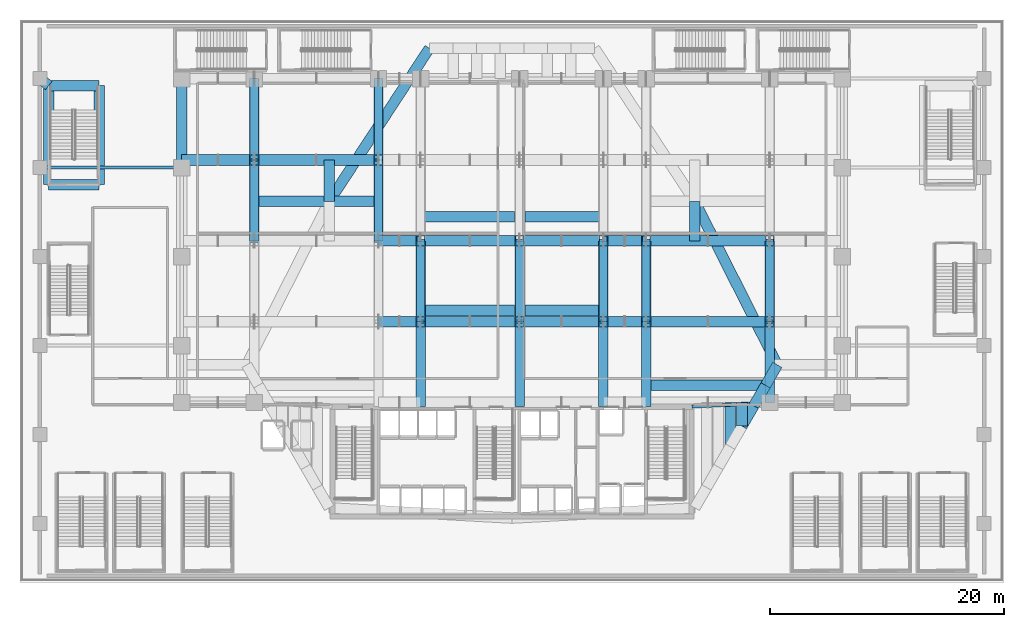
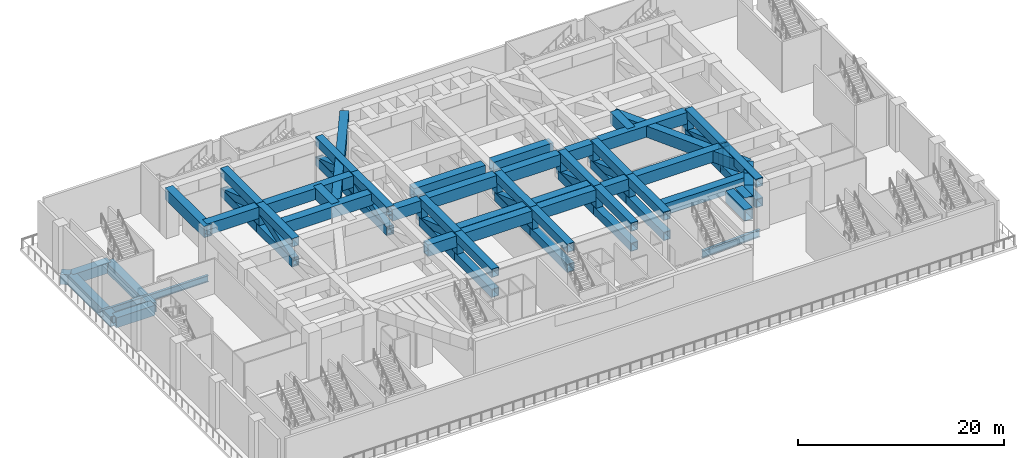
# One storey, part 2 of 27: 49 members, 35 beams.
"""IFC4 building model written with IfcOpenShell, lengths in metres."""

from ifc_helpers import new_model, si_unit, direction, frame, origin, origin_2d, place, context, subcontext, project, spatial, hollow_rectangle, i_section, extrude, material, material_profile, profile_set, type_object, element, save


model = new_model("IFC4")

# Units and contexts
model_context = context("Model", 3, precision=1e-05, world=origin(), true_north=direction((0.0, 1.0)))
body_context = subcontext(model_context, "Body", "Model", "MODEL_VIEW")
ifc_project = project(units=[si_unit("LENGTHUNIT", "METRE"), si_unit("AREAUNIT", "SQUARE_METRE"), si_unit("VOLUMEUNIT", "CUBIC_METRE"), si_unit("PLANEANGLEUNIT", "RADIAN"), si_unit("MASSUNIT", "GRAM", prefix="KILO")], contexts=[model_context])

# Site, building, storey
site_placement = place(None, origin())
site = spatial("IfcSite", under=ifc_project, at=site_placement, CompositionType="ELEMENT")
building_placement = place(site_placement, origin())
building = spatial("IfcBuilding", under=site, at=building_placement, Name="Ndaravel Arena Tower", CompositionType="ELEMENT")
storey_placement = place(building_placement, frame((0.0, 0.0, 24.0)))
storey = spatial("IfcBuildingStorey", under=building, at=storey_placement, Name="L04", CompositionType="ELEMENT", Elevation=24.0)

# Beams
ifc_material_1 = material(Name="Steel S355", Category="steel")
ifc_material_profile_1 = material_profile(ifc_material_1, i_section(OverallWidth=0.26806640625, OverallDepth=0.769775390625, WebThickness=0.015625, FlangeThickness=0.025390625, FilletRadius=0.0166015625, at=origin_2d()), Name="UB 762x267x197")
ifc_profile_set_1 = profile_set([ifc_material_profile_1], Name="Steel S355")
beam_type_1 = type_object("IfcBeamType", Name="BM-POD-UB762", PredefinedType="BEAM", material=ifc_profile_set_1)
beam_1_placement = place(storey_placement, frame((1.699951171875, 35.39990234375, -0.684814453125), z_axis=(1.0, 0.0, 0.0), x_axis=(0.0, 1.0, 0.0)))
element("IfcBeam", 1, at=beam_1_placement, inside=storey, type_object=beam_type_1, Name="L04 West Concourse Beam 03", PredefinedType="BEAM", context=body_context, shape_type="SweptSolid", body=[
    extrude(i_section(OverallWidth=0.26806640625, OverallDepth=0.769775390625, WebThickness=0.015625, FlangeThickness=0.025390625, FilletRadius=0.0166015625, at=origin_2d()), origin(), (0.0, 0.0, 1.0), 12.10009765625),
])
ifc_material_2 = material(Name="Steel S355", Category="steel")
ifc_material_profile_2 = material_profile(ifc_material_2, i_section(OverallWidth=0.293701171875, OverallDepth=0.850830078125, WebThickness=0.01611328125, FlangeThickness=0.02685546875, FilletRadius=0.017822265625, at=origin_2d()), Name="UB 838x292x226")
ifc_profile_set_2 = profile_set([ifc_material_profile_2], Name="Steel S355")
beam_type_2 = type_object("IfcBeamType", Name="BM-POD-UB838", PredefinedType="BEAM", material=ifc_profile_set_2)
beam_2_placement = place(storey_placement, frame((57.35009765625, 15.0, -0.7255859375), z_axis=(0.99861701899, 0.052574227375, 0.0), x_axis=(-0.052574227375, 0.99861701899, 0.0)))
element("IfcBeam", 2, at=beam_2_placement, inside=storey, type_object=beam_type_2, Name="L04 Arena Ring Girder 19", PredefinedType="BEAM", context=body_context, shape_type="SweptSolid", body=[
    extrude(i_section(OverallWidth=0.293701171875, OverallDepth=0.850830078125, WebThickness=0.01611328125, FlangeThickness=0.02685546875, FilletRadius=0.017822265625, at=origin_2d()), origin(), (0.0, 0.0, 1.0), 6.6591796875),
])
ifc_material_3 = material(Name="Steel S460", Category="steel")
ifc_material_profile_3 = material_profile(ifc_material_3, hollow_rectangle(XDim=0.89990234375, YDim=1.199951171875, WallThickness=0.070068359375, at=origin_2d()), Name="BOX 1200x900x70")
ifc_profile_set_3 = profile_set([ifc_material_profile_3], Name="Steel S460")
beam_type_3 = type_object("IfcBeamType", Name="BM-XFER-BOX1200", PredefinedType="BEAM", material=ifc_profile_set_3)
beam_3_placement = place(storey_placement, frame((1.699951171875, 43.0, -0.89990234375), z_axis=(0.780819212266, -0.624757038981, 0.0), x_axis=(0.624757038981, 0.780819212266, 0.0)))
element("IfcBeam", 3, at=beam_3_placement, inside=storey, type_object=beam_type_3, Name="L04 Stair ST-GDN-1 Mega Column Bracket", PredefinedType="BEAM", context=body_context, shape_type="SweptSolid", body=[
    extrude(hollow_rectangle(XDim=0.89990234375, YDim=1.199951171875, WallThickness=0.070068359375, at=origin_2d()), origin(), (0.0, 0.0, 1.0), 0.96044921875),
])
for number, where, z_axis, x_axis, name in (
    (4, (2.449951171875, 33.949951171875, -0.89990234375), (0.0, 1.0, 0.0), (-1.0, 0.0, 0.0), "L04 Stair ST-GDN-1 Side Carrier Beam 1"),
    (5, (6.75, 33.949951171875, -0.89990234375), (0.0, 1.0, 0.0), (-1.0, 0.0, 0.0), "L04 Stair ST-GDN-1 Side Carrier Beam 2"),
):
    element("IfcBeam", number, at=place(storey_placement, frame(where, z_axis=z_axis, x_axis=x_axis)), inside=storey, type_object=beam_type_3, Name=name, PredefinedType="BEAM", context=body_context, shape_type="SweptSolid", body=[
        extrude(hollow_rectangle(XDim=0.89990234375, YDim=1.199951171875, WallThickness=0.070068359375, at=origin_2d()), origin(), (0.0, 0.0, 1.0), 8.449951171875),
    ])
for number, where, z_axis, x_axis, name in (
    (6, (2.449951171875, 33.949951171875, -0.89990234375), (1.0, 0.0, 0.0), (0.0, 1.0, 0.0), "L04 Stair ST-GDN-1 End Carrier Beam 1"),
    (7, (2.449951171875, 42.39990234375, -0.89990234375), (1.0, 0.0, 0.0), (0.0, 1.0, 0.0), "L04 Stair ST-GDN-1 End Carrier Beam 2"),
):
    element("IfcBeam", number, at=place(storey_placement, frame(where, z_axis=z_axis, x_axis=x_axis)), inside=storey, type_object=beam_type_3, Name=name, PredefinedType="BEAM", context=body_context, shape_type="SweptSolid", body=[
        extrude(hollow_rectangle(XDim=0.89990234375, YDim=1.199951171875, WallThickness=0.070068359375, at=origin_2d()), origin(), (0.0, 0.0, 1.0), 4.300048828125),
    ])
ifc_material_4 = material(Name="Steel S460", Category="steel")
ifc_material_profile_4 = material_profile(ifc_material_4, hollow_rectangle(XDim=0.89990234375, YDim=1.35009765625, WallThickness=0.070068359375, at=origin_2d()), Name="BOX 1350x900x70")
ifc_profile_set_4 = profile_set([ifc_material_profile_4], Name="Steel S460")
beam_type_4 = type_object("IfcBeamType", Name="BM-XFER-BOX1350", PredefinedType="BEAM", material=ifc_profile_set_4)
beam_4_placement = place(storey_placement, frame((13.800048828125, 35.39990234375, 4.875), z_axis=(0.0, 1.0, 0.0), x_axis=(-1.0, 0.0, 0.0)))
element("IfcBeam", 8, at=beam_4_placement, inside=storey, type_object=beam_type_4, Name="Transfer Perimeter Box Girder TPB-1.4", PredefinedType="BEAM", context=body_context, shape_type="SweptSolid", body=[
    extrude(hollow_rectangle(XDim=0.89990234375, YDim=1.35009765625, WallThickness=0.070068359375, at=origin_2d()), origin(), (0.0, 0.0, 1.0), 7.60009765625),
])
beam_5_placement = place(storey_placement, frame((30.60009765625, 22.25, 4.875), z_axis=(1.0, 0.0, 0.0), x_axis=(0.0, 1.0, 0.0)))
element("IfcBeam", 9, at=beam_5_placement, inside=storey, type_object=beam_type_4, Name="Transfer Deck Box Girder TG-2.3", PredefinedType="BEAM", context=body_context, shape_type="SweptSolid", body=[
    extrude(hollow_rectangle(XDim=0.89990234375, YDim=1.35009765625, WallThickness=0.070068359375, at=origin_2d()), origin(), (0.0, 0.0, 1.0), 3.599853515625),
])
beam_6_placement = place(storey_placement, frame((34.199951171875, 22.25, 4.875), z_axis=(1.0, 0.0, 0.0), x_axis=(0.0, 1.0, 0.0)))
element("IfcBeam", 10, at=beam_6_placement, inside=storey, type_object=beam_type_4, Name="Transfer Deck Box Girder TG-2.4", PredefinedType="BEAM", context=body_context, shape_type="SweptSolid", body=[
    extrude(hollow_rectangle(XDim=0.89990234375, YDim=1.35009765625, WallThickness=0.070068359375, at=origin_2d()), origin(), (0.0, 0.0, 1.0), 8.449951171875),
])
beam_7_placement = place(storey_placement, frame((42.64990234375, 22.25, 4.875), z_axis=(1.0, 0.0, 0.0), x_axis=(0.0, 1.0, 0.0)))
element("IfcBeam", 11, at=beam_7_placement, inside=storey, type_object=beam_type_4, Name="Transfer Deck Box Girder TG-2.5", PredefinedType="BEAM", context=body_context, shape_type="SweptSolid", body=[
    extrude(hollow_rectangle(XDim=0.89990234375, YDim=1.35009765625, WallThickness=0.070068359375, at=origin_2d()), origin(), (0.0, 0.0, 1.0), 7.150146484375),
])
beam_8_placement = place(storey_placement, frame((49.800048828125, 22.25, 4.875), z_axis=(1.0, 0.0, 0.0), x_axis=(0.0, 1.0, 0.0)))
element("IfcBeam", 12, at=beam_8_placement, inside=storey, type_object=beam_type_4, Name="Transfer Deck Box Girder TG-2.6", PredefinedType="BEAM", context=body_context, shape_type="SweptSolid", body=[
    extrude(hollow_rectangle(XDim=0.89990234375, YDim=1.35009765625, WallThickness=0.070068359375, at=origin_2d()), origin(), (0.0, 0.0, 1.0), 3.64990234375),
])
beam_9_placement = place(storey_placement, frame((53.449951171875, 22.25, 4.875), z_axis=(1.0, 0.0, 0.0), x_axis=(0.0, 1.0, 0.0)))
element("IfcBeam", 13, at=beam_9_placement, inside=storey, type_object=beam_type_4, Name="Transfer Deck Box Girder TG-2.7", PredefinedType="BEAM", context=body_context, shape_type="SweptSolid", body=[
    extrude(hollow_rectangle(XDim=0.89990234375, YDim=1.35009765625, WallThickness=0.070068359375, at=origin_2d()), origin(), (0.0, 0.0, 1.0), 10.550048828125),
])
beam_10_placement = place(storey_placement, frame((30.60009765625, 29.14990234375, 4.875), z_axis=(1.0, 0.0, 0.0), x_axis=(0.0, 1.0, 0.0)))
element("IfcBeam", 14, at=beam_10_placement, inside=storey, type_object=beam_type_4, Name="Transfer Deck Box Girder TG-3.3", PredefinedType="BEAM", context=body_context, shape_type="SweptSolid", body=[
    extrude(hollow_rectangle(XDim=0.89990234375, YDim=1.35009765625, WallThickness=0.070068359375, at=origin_2d()), origin(), (0.0, 0.0, 1.0), 3.599853515625),
])
beam_11_placement = place(storey_placement, frame((34.199951171875, 29.14990234375, 4.875), z_axis=(1.0, 0.0, 0.0), x_axis=(0.0, 1.0, 0.0)))
element("IfcBeam", 15, at=beam_11_placement, inside=storey, type_object=beam_type_4, Name="Transfer Deck Box Girder TG-3.4", PredefinedType="BEAM", context=body_context, shape_type="SweptSolid", body=[
    extrude(hollow_rectangle(XDim=0.89990234375, YDim=1.35009765625, WallThickness=0.070068359375, at=origin_2d()), origin(), (0.0, 0.0, 1.0), 8.449951171875),
])
beam_12_placement = place(storey_placement, frame((42.64990234375, 29.14990234375, 4.875), z_axis=(1.0, 0.0, 0.0), x_axis=(0.0, 1.0, 0.0)))
element("IfcBeam", 16, at=beam_12_placement, inside=storey, type_object=beam_type_4, Name="Transfer Deck Box Girder TG-3.5", PredefinedType="BEAM", context=body_context, shape_type="SweptSolid", body=[
    extrude(hollow_rectangle(XDim=0.89990234375, YDim=1.35009765625, WallThickness=0.070068359375, at=origin_2d()), origin(), (0.0, 0.0, 1.0), 7.150146484375),
])
beam_13_placement = place(storey_placement, frame((49.800048828125, 29.14990234375, 4.875), z_axis=(1.0, 0.0, 0.0), x_axis=(0.0, 1.0, 0.0)))
element("IfcBeam", 17, at=beam_13_placement, inside=storey, type_object=beam_type_4, Name="Transfer Deck Box Girder TG-3.6", PredefinedType="BEAM", context=body_context, shape_type="SweptSolid", body=[
    extrude(hollow_rectangle(XDim=0.89990234375, YDim=1.35009765625, WallThickness=0.070068359375, at=origin_2d()), origin(), (0.0, 0.0, 1.0), 3.64990234375),
])
beam_14_placement = place(storey_placement, frame((53.449951171875, 29.14990234375, 4.875), z_axis=(1.0, 0.0, 0.0), x_axis=(0.0, 1.0, 0.0)))
element("IfcBeam", 18, at=beam_14_placement, inside=storey, type_object=beam_type_4, Name="Transfer Deck Box Girder TG-3.7", PredefinedType="BEAM", context=body_context, shape_type="SweptSolid", body=[
    extrude(hollow_rectangle(XDim=0.89990234375, YDim=1.35009765625, WallThickness=0.070068359375, at=origin_2d()), origin(), (0.0, 0.0, 1.0), 10.550048828125),
])
beam_15_placement = place(storey_placement, frame((13.800048828125, 36.050048828125, 4.875), z_axis=(1.0, 0.0, 0.0), x_axis=(0.0, 1.0, 0.0)))
element("IfcBeam", 19, at=beam_15_placement, inside=storey, type_object=beam_type_4, Name="Transfer Deck Box Girder TG-4.1", PredefinedType="BEAM", context=body_context, shape_type="SweptSolid", body=[
    extrude(hollow_rectangle(XDim=0.89990234375, YDim=1.35009765625, WallThickness=0.070068359375, at=origin_2d()), origin(), (0.0, 0.0, 1.0), 6.199951171875),
])
beam_16_placement = place(storey_placement, frame((20.0, 36.050048828125, 4.875), z_axis=(1.0, 0.0, 0.0), x_axis=(0.0, 1.0, 0.0)))
element("IfcBeam", 20, at=beam_16_placement, inside=storey, type_object=beam_type_4, Name="Transfer Deck Box Girder TG-4.2", PredefinedType="BEAM", context=body_context, shape_type="SweptSolid", body=[
    extrude(hollow_rectangle(XDim=0.89990234375, YDim=1.35009765625, WallThickness=0.070068359375, at=origin_2d()), origin(), (0.0, 0.0, 1.0), 10.60009765625),
])
beam_17_placement = place(storey_placement, frame((60.627197265625, 11.5830078125, 4.875), z_axis=(0.0, 1.0, 0.0), x_axis=(-1.0, 0.0, 0.0)))
element("IfcBeam", 21, at=beam_17_placement, inside=storey, type_object=beam_type_4, Name="Tower Base North Tie Girder TTN-05", PredefinedType="BEAM", context=body_context, shape_type="SweptSolid", body=[
    extrude(hollow_rectangle(XDim=0.89990234375, YDim=1.35009765625, WallThickness=0.070068359375, at=origin_2d()), origin(), (0.0, 0.0, 1.0), 3.76708984375),
])
beam_18_placement = place(storey_placement, frame((61.6337890625, 13.326904296875, 4.875), z_axis=(0.500051323872, 0.865995769906, 0.0), x_axis=(-0.865995769906, 0.500051323872, 0.0)))
element("IfcBeam", 22, at=beam_18_placement, inside=storey, type_object=beam_type_4, Name="Tower Base Transfer Ring Girder TRG-06", PredefinedType="BEAM", context=body_context, shape_type="SweptSolid", body=[
    extrude(hollow_rectangle(XDim=0.89990234375, YDim=1.35009765625, WallThickness=0.070068359375, at=origin_2d()), origin(), (0.0, 0.0, 1.0), 2.013427734375),
])
beam_19_placement = place(storey_placement, frame((61.6337890625, 13.326904296875, 4.875), z_axis=(0.0, 1.0, 0.0), x_axis=(-1.0, 0.0, 0.0)))
element("IfcBeam", 23, at=beam_19_placement, inside=storey, type_object=beam_type_4, Name="Tower Base North Tie Girder TTN-06", PredefinedType="BEAM", context=body_context, shape_type="SweptSolid", body=[
    extrude(hollow_rectangle(XDim=0.89990234375, YDim=1.35009765625, WallThickness=0.070068359375, at=origin_2d()), origin(), (0.0, 0.0, 1.0), 2.023193359375),
])
beam_20_placement = place(storey_placement, frame((62.640625, 15.070556640625, 4.875), z_axis=(0.499998820369, 0.866026084844, 0.0), x_axis=(-0.866026084844, 0.499998820369, 0.0)))
element("IfcBeam", 24, at=beam_20_placement, inside=storey, type_object=beam_type_4, Name="Tower Base Transfer Ring Girder TRG-07", PredefinedType="BEAM", context=body_context, shape_type="SweptSolid", body=[
    extrude(hollow_rectangle(XDim=0.89990234375, YDim=1.35009765625, WallThickness=0.070068359375, at=origin_2d()), origin(), (0.0, 0.0, 1.0), 2.013671875),
])
beam_21_placement = place(storey_placement, frame((63.6474609375, 16.814453125, 4.875), z_axis=(0.499960381356, 0.866048276411, 0.0), x_axis=(-0.866048276411, 0.499960381356, 0.0)))
element("IfcBeam", 25, at=beam_21_placement, inside=storey, type_object=beam_type_4, Name="Tower Base Transfer Ring Girder TRG-08", PredefinedType="BEAM", context=body_context, shape_type="SweptSolid", body=[
    extrude(hollow_rectangle(XDim=0.89990234375, YDim=1.35009765625, WallThickness=0.070068359375, at=origin_2d()), origin(), (0.0, 0.0, 1.0), 2.013427734375),
])
beam_22_placement = place(storey_placement, frame((53.449951171875, 16.814453125, 4.875), z_axis=(1.0, 0.0, 0.0), x_axis=(0.0, 1.0, 0.0)))
element("IfcBeam", 26, at=beam_22_placement, inside=storey, type_object=beam_type_4, Name="Tower Base Span Tie Girder TTEW-08", PredefinedType="BEAM", context=body_context, shape_type="SweptSolid", body=[
    extrude(hollow_rectangle(XDim=0.89990234375, YDim=1.35009765625, WallThickness=0.070068359375, at=origin_2d()), origin(), (0.0, 0.0, 1.0), 10.550048828125),
])
beam_23_placement = place(storey_placement, frame((64.654052734375, 18.55810546875, 4.875), z_axis=(-0.450914536682, 0.892567129469, 0.0), x_axis=(-0.892567129469, -0.450914536682, 0.0)))
element("IfcBeam", 27, at=beam_23_placement, inside=storey, type_object=beam_type_4, Name="Tower Base Transfer Ring Girder TRG-09", PredefinedType="BEAM", context=body_context, shape_type="SweptSolid", body=[
    extrude(hollow_rectangle(XDim=0.89990234375, YDim=1.35009765625, WallThickness=0.070068359375, at=origin_2d()), origin(), (0.0, 0.0, 1.0), 15.631103515625),
])
beam_24_placement = place(storey_placement, frame((57.605712890625, 29.14990234375, 4.875), z_axis=(0.0, 1.0, 0.0), x_axis=(-1.0, 0.0, 0.0)))
element("IfcBeam", 28, at=beam_24_placement, inside=storey, type_object=beam_type_4, Name="Tower Base South Tie Girder TTS-10", PredefinedType="BEAM", context=body_context, shape_type="SweptSolid", body=[
    extrude(hollow_rectangle(XDim=0.89990234375, YDim=1.35009765625, WallThickness=0.070068359375, at=origin_2d()), origin(), (0.0, 0.0, 1.0), 3.360107421875),
])
beam_25_placement = place(storey_placement, frame((34.95263671875, 45.590087890625, 4.875), z_axis=(-0.547517816718, -0.83679402506, 0.0), x_axis=(0.83679402506, -0.547517816718, 0.0)))
element("IfcBeam", 29, at=beam_25_placement, inside=storey, type_object=beam_type_4, Name="Tower Base Transfer Ring Girder TRG-18", PredefinedType="BEAM", context=body_context, shape_type="SweptSolid", body=[
    extrude(hollow_rectangle(XDim=0.89990234375, YDim=1.35009765625, WallThickness=0.070068359375, at=origin_2d()), origin(), (0.0, 0.0, 1.0), 15.631103515625),
])
beam_26_placement = place(storey_placement, frame((20.0, 32.510009765625, 4.875), z_axis=(1.0, 0.0, 0.0), x_axis=(0.0, 1.0, 0.0)))
element("IfcBeam", 30, at=beam_26_placement, inside=storey, type_object=beam_type_4, Name="Tower Base Span Tie Girder TTEW-19", PredefinedType="BEAM", context=body_context, shape_type="SweptSolid", body=[
    extrude(hollow_rectangle(XDim=0.89990234375, YDim=1.35009765625, WallThickness=0.070068359375, at=origin_2d()), origin(), (0.0, 0.0, 1.0), 10.60009765625),
])
beam_27_placement = place(storey_placement, frame((26.394287109375, 32.510009765625, 4.875), z_axis=(0.0, 1.0, 0.0), x_axis=(-1.0, 0.0, 0.0)))
element("IfcBeam", 31, at=beam_27_placement, inside=storey, type_object=beam_type_4, Name="Tower Base North Tie Girder TTN-19", PredefinedType="BEAM", context=body_context, shape_type="SweptSolid", body=[
    extrude(hollow_rectangle(XDim=0.89990234375, YDim=1.35009765625, WallThickness=0.070068359375, at=origin_2d()), origin(), (0.0, 0.0, 1.0), 3.5400390625),
])
beam_28_placement = place(storey_placement, frame((34.199951171875, 23.199951171875, 4.875), z_axis=(1.0, 0.0, 0.0), x_axis=(0.0, 1.0, 0.0)))
element("IfcBeam", 32, at=beam_28_placement, inside=storey, type_object=beam_type_4, Name="Spine Transfer Girder STGA-1", PredefinedType="BEAM", context=body_context, shape_type="SweptSolid", body=[
    extrude(hollow_rectangle(XDim=0.89990234375, YDim=1.35009765625, WallThickness=0.070068359375, at=origin_2d()), origin(), (0.0, 0.0, 1.0), 8.0),
])
beam_29_placement = place(storey_placement, frame((43.10009765625, 23.199951171875, 4.875), z_axis=(1.0, 0.0, 0.0), x_axis=(0.0, 1.0, 0.0)))
element("IfcBeam", 33, at=beam_29_placement, inside=storey, type_object=beam_type_4, Name="Spine Transfer Girder STGB-1", PredefinedType="BEAM", context=body_context, shape_type="SweptSolid", body=[
    extrude(hollow_rectangle(XDim=0.89990234375, YDim=1.35009765625, WallThickness=0.070068359375, at=origin_2d()), origin(), (0.0, 0.0, 1.0), 6.699951171875),
])
beam_30_placement = place(storey_placement, frame((34.199951171875, 31.199951171875, 4.875), z_axis=(1.0, 0.0, 0.0), x_axis=(0.0, 1.0, 0.0)))
element("IfcBeam", 34, at=beam_30_placement, inside=storey, type_object=beam_type_4, Name="Spine Transfer Girder STGA-3", PredefinedType="BEAM", context=body_context, shape_type="SweptSolid", body=[
    extrude(hollow_rectangle(XDim=0.89990234375, YDim=1.35009765625, WallThickness=0.070068359375, at=origin_2d()), origin(), (0.0, 0.0, 1.0), 8.0),
])
beam_31_placement = place(storey_placement, frame((43.10009765625, 31.199951171875, 4.875), z_axis=(1.0, 0.0, 0.0), x_axis=(0.0, 1.0, 0.0)))
element("IfcBeam", 35, at=beam_31_placement, inside=storey, type_object=beam_type_4, Name="Spine Transfer Girder STGB-3", PredefinedType="BEAM", context=body_context, shape_type="SweptSolid", body=[
    extrude(hollow_rectangle(XDim=0.89990234375, YDim=1.35009765625, WallThickness=0.070068359375, at=origin_2d()), origin(), (0.0, 0.0, 1.0), 6.699951171875),
])

# Members
ifc_material_5 = material(Name="Steel S460", Category="steel")
ifc_material_profile_5 = material_profile(ifc_material_5, hollow_rectangle(XDim=0.800048828125, YDim=1.0, WallThickness=0.06005859375, at=origin_2d()), Name="BOX 1000x800x60")
ifc_profile_set_5 = profile_set([ifc_material_profile_5], Name="Steel S460")
member_type_1 = type_object("IfcMemberType", Name="MEM-TT-CHORD", PredefinedType="CHORD", material=ifc_profile_set_5)
for number, where, z_axis, x_axis, name in (
    (36, (20.0, 29.14990234375, 5.199951171875), (0.0, 1.0, 0.0), (-1.0, 0.0, 0.0), "Transfer Truss TT-1 Top Chord 3"),
    (37, (20.0, 29.14990234375, 2.820068359375), (0.0, 1.0, 0.0), (-1.0, 0.0, 0.0), "Transfer Truss TT-1 Bottom Chord 3"),
):
    element("IfcMember", number, at=place(storey_placement, frame(where, z_axis=z_axis, x_axis=x_axis)), inside=storey, type_object=member_type_1, Name=name, PredefinedType="CHORD", context=body_context, shape_type="SweptSolid", body=[
        extrude(hollow_rectangle(XDim=0.800048828125, YDim=1.0, WallThickness=0.06005859375, at=origin_2d()), origin(), (0.0, 0.0, 1.0), 6.900146484375),
    ])
for number, where, z_axis, x_axis, name in (
    (38, (20.0, 36.050048828125, 5.199951171875), (0.0, 1.0, 0.0), (-1.0, 0.0, 0.0), "Transfer Truss TT-1 Top Chord 4"),
    (39, (20.0, 36.050048828125, 2.820068359375), (0.0, 1.0, 0.0), (-1.0, 0.0, 0.0), "Transfer Truss TT-1 Bottom Chord 4"),
):
    element("IfcMember", number, at=place(storey_placement, frame(where, z_axis=z_axis, x_axis=x_axis)), inside=storey, type_object=member_type_1, Name=name, PredefinedType="CHORD", context=body_context, shape_type="SweptSolid", body=[
        extrude(hollow_rectangle(XDim=0.800048828125, YDim=1.0, WallThickness=0.06005859375, at=origin_2d()), origin(), (0.0, 0.0, 1.0), 6.949951171875),
    ])
for number, where, z_axis, x_axis, name in (
    (40, (30.60009765625, 29.14990234375, 5.199951171875), (0.0, 1.0, 0.0), (-1.0, 0.0, 0.0), "Transfer Truss TT-2 Top Chord 3"),
    (41, (30.60009765625, 29.14990234375, 2.820068359375), (0.0, 1.0, 0.0), (-1.0, 0.0, 0.0), "Transfer Truss TT-2 Bottom Chord 3"),
):
    element("IfcMember", number, at=place(storey_placement, frame(where, z_axis=z_axis, x_axis=x_axis)), inside=storey, type_object=member_type_1, Name=name, PredefinedType="CHORD", context=body_context, shape_type="SweptSolid", body=[
        extrude(hollow_rectangle(XDim=0.800048828125, YDim=1.0, WallThickness=0.06005859375, at=origin_2d()), origin(), (0.0, 0.0, 1.0), 6.900146484375),
    ])
for number, where, z_axis, x_axis, name in (
    (42, (30.60009765625, 36.050048828125, 5.199951171875), (0.0, 1.0, 0.0), (-1.0, 0.0, 0.0), "Transfer Truss TT-2 Top Chord 4"),
    (43, (30.60009765625, 36.050048828125, 2.820068359375), (0.0, 1.0, 0.0), (-1.0, 0.0, 0.0), "Transfer Truss TT-2 Bottom Chord 4"),
):
    element("IfcMember", number, at=place(storey_placement, frame(where, z_axis=z_axis, x_axis=x_axis)), inside=storey, type_object=member_type_1, Name=name, PredefinedType="CHORD", context=body_context, shape_type="SweptSolid", body=[
        extrude(hollow_rectangle(XDim=0.800048828125, YDim=1.0, WallThickness=0.06005859375, at=origin_2d()), origin(), (0.0, 0.0, 1.0), 6.949951171875),
    ])
for number, where, z_axis, x_axis, name in (
    (44, (34.199951171875, 15.0, 5.199951171875), (0.0, 1.0, 0.0), (-1.0, 0.0, 0.0), "Transfer Truss TT-3 Top Chord 1"),
    (45, (34.199951171875, 15.0, 2.820068359375), (0.0, 1.0, 0.0), (-1.0, 0.0, 0.0), "Transfer Truss TT-3 Bottom Chord 1"),
):
    element("IfcMember", number, at=place(storey_placement, frame(where, z_axis=z_axis, x_axis=x_axis)), inside=storey, type_object=member_type_1, Name=name, PredefinedType="CHORD", context=body_context, shape_type="SweptSolid", body=[
        extrude(hollow_rectangle(XDim=0.800048828125, YDim=1.0, WallThickness=0.06005859375, at=origin_2d()), origin(), (0.0, 0.0, 1.0), 7.25),
    ])
for number, where, z_axis, x_axis, name in (
    (46, (34.199951171875, 22.25, 5.199951171875), (0.0, 1.0, 0.0), (-1.0, 0.0, 0.0), "Transfer Truss TT-3 Top Chord 2"),
    (47, (34.199951171875, 22.25, 2.820068359375), (0.0, 1.0, 0.0), (-1.0, 0.0, 0.0), "Transfer Truss TT-3 Bottom Chord 2"),
):
    element("IfcMember", number, at=place(storey_placement, frame(where, z_axis=z_axis, x_axis=x_axis)), inside=storey, type_object=member_type_1, Name=name, PredefinedType="CHORD", context=body_context, shape_type="SweptSolid", body=[
        extrude(hollow_rectangle(XDim=0.800048828125, YDim=1.0, WallThickness=0.06005859375, at=origin_2d()), origin(), (0.0, 0.0, 1.0), 6.89990234375),
    ])
for number, where, z_axis, x_axis, name in (
    (48, (42.64990234375, 15.0, 5.199951171875), (0.0, 1.0, 0.0), (-1.0, 0.0, 0.0), "Transfer Truss TT-4 Top Chord 1"),
    (49, (42.64990234375, 15.0, 2.820068359375), (0.0, 1.0, 0.0), (-1.0, 0.0, 0.0), "Transfer Truss TT-4 Bottom Chord 1"),
):
    element("IfcMember", number, at=place(storey_placement, frame(where, z_axis=z_axis, x_axis=x_axis)), inside=storey, type_object=member_type_1, Name=name, PredefinedType="CHORD", context=body_context, shape_type="SweptSolid", body=[
        extrude(hollow_rectangle(XDim=0.800048828125, YDim=1.0, WallThickness=0.06005859375, at=origin_2d()), origin(), (0.0, 0.0, 1.0), 7.25),
    ])
for number, where, z_axis, x_axis, name in (
    (50, (42.64990234375, 22.25, 5.199951171875), (0.0, 1.0, 0.0), (-1.0, 0.0, 0.0), "Transfer Truss TT-4 Top Chord 2"),
    (51, (42.64990234375, 22.25, 2.820068359375), (0.0, 1.0, 0.0), (-1.0, 0.0, 0.0), "Transfer Truss TT-4 Bottom Chord 2"),
):
    element("IfcMember", number, at=place(storey_placement, frame(where, z_axis=z_axis, x_axis=x_axis)), inside=storey, type_object=member_type_1, Name=name, PredefinedType="CHORD", context=body_context, shape_type="SweptSolid", body=[
        extrude(hollow_rectangle(XDim=0.800048828125, YDim=1.0, WallThickness=0.06005859375, at=origin_2d()), origin(), (0.0, 0.0, 1.0), 6.89990234375),
    ])
for number, where, z_axis, x_axis, name in (
    (52, (49.800048828125, 15.0, 5.199951171875), (0.0, 1.0, 0.0), (-1.0, 0.0, 0.0), "Transfer Truss TT-5 Top Chord 1"),
    (53, (49.800048828125, 15.0, 2.820068359375), (0.0, 1.0, 0.0), (-1.0, 0.0, 0.0), "Transfer Truss TT-5 Bottom Chord 1"),
):
    element("IfcMember", number, at=place(storey_placement, frame(where, z_axis=z_axis, x_axis=x_axis)), inside=storey, type_object=member_type_1, Name=name, PredefinedType="CHORD", context=body_context, shape_type="SweptSolid", body=[
        extrude(hollow_rectangle(XDim=0.800048828125, YDim=1.0, WallThickness=0.06005859375, at=origin_2d()), origin(), (0.0, 0.0, 1.0), 7.25),
    ])
for number, where, z_axis, x_axis, name in (
    (54, (49.800048828125, 22.25, 5.199951171875), (0.0, 1.0, 0.0), (-1.0, 0.0, 0.0), "Transfer Truss TT-5 Top Chord 2"),
    (55, (49.800048828125, 22.25, 2.820068359375), (0.0, 1.0, 0.0), (-1.0, 0.0, 0.0), "Transfer Truss TT-5 Bottom Chord 2"),
):
    element("IfcMember", number, at=place(storey_placement, frame(where, z_axis=z_axis, x_axis=x_axis)), inside=storey, type_object=member_type_1, Name=name, PredefinedType="CHORD", context=body_context, shape_type="SweptSolid", body=[
        extrude(hollow_rectangle(XDim=0.800048828125, YDim=1.0, WallThickness=0.06005859375, at=origin_2d()), origin(), (0.0, 0.0, 1.0), 6.89990234375),
    ])
for number, where, z_axis, x_axis, name in (
    (56, (53.449951171875, 15.0, 5.199951171875), (0.0, 1.0, 0.0), (-1.0, 0.0, 0.0), "Transfer Truss TT-6 Top Chord 1"),
    (57, (53.449951171875, 15.0, 2.820068359375), (0.0, 1.0, 0.0), (-1.0, 0.0, 0.0), "Transfer Truss TT-6 Bottom Chord 1"),
):
    element("IfcMember", number, at=place(storey_placement, frame(where, z_axis=z_axis, x_axis=x_axis)), inside=storey, type_object=member_type_1, Name=name, PredefinedType="CHORD", context=body_context, shape_type="SweptSolid", body=[
        extrude(hollow_rectangle(XDim=0.800048828125, YDim=1.0, WallThickness=0.06005859375, at=origin_2d()), origin(), (0.0, 0.0, 1.0), 7.25),
    ])
for number, where, z_axis, x_axis, name in (
    (58, (53.449951171875, 22.25, 5.199951171875), (0.0, 1.0, 0.0), (-1.0, 0.0, 0.0), "Transfer Truss TT-6 Top Chord 2"),
    (59, (53.449951171875, 22.25, 2.820068359375), (0.0, 1.0, 0.0), (-1.0, 0.0, 0.0), "Transfer Truss TT-6 Bottom Chord 2"),
    (60, (64.0, 15.35009765625, 5.199951171875), (0.0, 1.0, 0.0), (-1.0, 0.0, 0.0), "Transfer Truss TT-7 Top Chord 1"),
    (61, (64.0, 15.35009765625, 2.820068359375), (0.0, 1.0, 0.0), (-1.0, 0.0, 0.0), "Transfer Truss TT-7 Bottom Chord 1"),
    (62, (64.0, 22.25, 5.199951171875), (0.0, 1.0, 0.0), (-1.0, 0.0, 0.0), "Transfer Truss TT-7 Top Chord 2"),
    (63, (64.0, 22.25, 2.820068359375), (0.0, 1.0, 0.0), (-1.0, 0.0, 0.0), "Transfer Truss TT-7 Bottom Chord 2"),
):
    element("IfcMember", number, at=place(storey_placement, frame(where, z_axis=z_axis, x_axis=x_axis)), inside=storey, type_object=member_type_1, Name=name, PredefinedType="CHORD", context=body_context, shape_type="SweptSolid", body=[
        extrude(hollow_rectangle(XDim=0.800048828125, YDim=1.0, WallThickness=0.06005859375, at=origin_2d()), origin(), (0.0, 0.0, 1.0), 6.89990234375),
    ])
ifc_material_6 = material(Name="Steel S460", Category="steel")
ifc_material_profile_6 = material_profile(ifc_material_6, hollow_rectangle(XDim=0.699951171875, YDim=0.85009765625, WallThickness=0.050048828125, at=origin_2d()), Name="BOX 850x700x50")
ifc_profile_set_6 = profile_set([ifc_material_profile_6], Name="Steel S460")
member_type_2 = type_object("IfcMemberType", Name="MEM-TT-DIAG", PredefinedType="BRACE", material=ifc_profile_set_6)
member_1_placement = place(storey_placement, frame((20.0, 29.14990234375, 2.820068359375), z_axis=(0.0, 0.945350941228, 0.326054593465), x_axis=(-1.0, 0.0, 0.0)))
element("IfcMember", 64, at=member_1_placement, inside=storey, type_object=member_type_2, Name="Transfer Truss TT-1 Diagonal 3", PredefinedType="BRACE", context=body_context, shape_type="SweptSolid", body=[
    extrude(hollow_rectangle(XDim=0.699951171875, YDim=0.85009765625, WallThickness=0.050048828125, at=origin_2d()), origin(), (0.0, 0.0, 1.0), 7.299072265625),
])
member_2_placement = place(storey_placement, frame((20.0, 36.050048828125, 5.199951171875), z_axis=(0.0, 0.946069393837, -0.323964044371), x_axis=(-1.0, 0.0, 0.0)))
element("IfcMember", 65, at=member_2_placement, inside=storey, type_object=member_type_2, Name="Transfer Truss TT-1 Diagonal 4", PredefinedType="BRACE", context=body_context, shape_type="SweptSolid", body=[
    extrude(hollow_rectangle(XDim=0.699951171875, YDim=0.85009765625, WallThickness=0.050048828125, at=origin_2d()), origin(), (0.0, 0.0, 1.0), 7.34619140625),
])
member_3_placement = place(storey_placement, frame((30.60009765625, 29.14990234375, 2.820068359375), z_axis=(0.0, 0.945350941228, 0.326054593465), x_axis=(-1.0, 0.0, 0.0)))
element("IfcMember", 66, at=member_3_placement, inside=storey, type_object=member_type_2, Name="Transfer Truss TT-2 Diagonal 3", PredefinedType="BRACE", context=body_context, shape_type="SweptSolid", body=[
    extrude(hollow_rectangle(XDim=0.699951171875, YDim=0.85009765625, WallThickness=0.050048828125, at=origin_2d()), origin(), (0.0, 0.0, 1.0), 7.299072265625),
])
member_4_placement = place(storey_placement, frame((30.60009765625, 36.050048828125, 5.199951171875), z_axis=(0.0, 0.946069393837, -0.323964044371), x_axis=(-1.0, 0.0, 0.0)))
element("IfcMember", 67, at=member_4_placement, inside=storey, type_object=member_type_2, Name="Transfer Truss TT-2 Diagonal 4", PredefinedType="BRACE", context=body_context, shape_type="SweptSolid", body=[
    extrude(hollow_rectangle(XDim=0.699951171875, YDim=0.85009765625, WallThickness=0.050048828125, at=origin_2d()), origin(), (0.0, 0.0, 1.0), 7.34619140625),
])
for number, where, z_axis, x_axis, name in (
    (68, (34.199951171875, 22.25, 5.199951171875), (0.0, 0.945347385111, -0.32606490376), (-1.0, 0.0, 0.0), "Transfer Truss TT-3 Diagonal 2"),
    (69, (42.64990234375, 22.25, 5.199951171875), (0.0, 0.945347385111, -0.32606490376), (-1.0, 0.0, 0.0), "Transfer Truss TT-4 Diagonal 2"),
    (70, (49.800048828125, 22.25, 5.199951171875), (0.0, 0.945347385111, -0.32606490376), (-1.0, 0.0, 0.0), "Transfer Truss TT-5 Diagonal 2"),
    (71, (53.449951171875, 22.25, 5.199951171875), (0.0, 0.945347385111, -0.32606490376), (-1.0, 0.0, 0.0), "Transfer Truss TT-6 Diagonal 2"),
    (72, (64.0, 22.25, 5.199951171875), (0.0, 0.945347385111, -0.32606490376), (-1.0, 0.0, 0.0), "Transfer Truss TT-7 Diagonal 2"),
):
    element("IfcMember", number, at=place(storey_placement, frame(where, z_axis=z_axis, x_axis=x_axis)), inside=storey, type_object=member_type_2, Name=name, PredefinedType="BRACE", context=body_context, shape_type="SweptSolid", body=[
        extrude(hollow_rectangle(XDim=0.699951171875, YDim=0.85009765625, WallThickness=0.050048828125, at=origin_2d()), origin(), (0.0, 0.0, 1.0), 7.298828125),
    ])
ifc_material_7 = material(Name="Steel S460", Category="steel")
ifc_material_profile_7 = material_profile(ifc_material_7, hollow_rectangle(XDim=0.75, YDim=0.89990234375, WallThickness=0.054931640625, at=origin_2d()), Name="BOX 900x750x55")
ifc_profile_set_7 = profile_set([ifc_material_profile_7], Name="Steel S460")
member_type_3 = type_object("IfcMemberType", Name="MEM-TT-POST", PredefinedType="POST", material=ifc_profile_set_7)
for number, where, z_axis, x_axis, name in (
    (73, (20.0, 36.050048828125, 2.820068359375), (0.0, 0.0, 1.0), (1.0, 0.0, 0.0), "Transfer Truss TT-1 Post 4"),
    (74, (30.60009765625, 36.050048828125, 2.820068359375), (0.0, 0.0, 1.0), (1.0, 0.0, 0.0), "Transfer Truss TT-2 Post 4"),
    (75, (34.199951171875, 22.25, 2.820068359375), (0.0, 0.0, 1.0), (1.0, 0.0, 0.0), "Transfer Truss TT-3 Post 2"),
    (76, (34.199951171875, 29.14990234375, 2.820068359375), (0.0, 0.0, 1.0), (1.0, 0.0, 0.0), "Transfer Truss TT-3 Post 3"),
    (77, (42.64990234375, 22.25, 2.820068359375), (0.0, 0.0, 1.0), (1.0, 0.0, 0.0), "Transfer Truss TT-4 Post 2"),
    (78, (42.64990234375, 29.14990234375, 2.820068359375), (0.0, 0.0, 1.0), (1.0, 0.0, 0.0), "Transfer Truss TT-4 Post 3"),
    (79, (49.800048828125, 22.25, 2.820068359375), (0.0, 0.0, 1.0), (1.0, 0.0, 0.0), "Transfer Truss TT-5 Post 2"),
    (80, (49.800048828125, 29.14990234375, 2.820068359375), (0.0, 0.0, 1.0), (1.0, 0.0, 0.0), "Transfer Truss TT-5 Post 3"),
    (81, (53.449951171875, 22.25, 2.820068359375), (0.0, 0.0, 1.0), (1.0, 0.0, 0.0), "Transfer Truss TT-6 Post 2"),
    (82, (53.449951171875, 29.14990234375, 2.820068359375), (0.0, 0.0, 1.0), (1.0, 0.0, 0.0), "Transfer Truss TT-6 Post 3"),
    (83, (64.0, 22.25, 2.820068359375), (0.0, 0.0, 1.0), (1.0, 0.0, 0.0), "Transfer Truss TT-7 Post 2"),
    (84, (64.0, 29.14990234375, 2.820068359375), (0.0, 0.0, 1.0), (1.0, 0.0, 0.0), "Transfer Truss TT-7 Post 3"),
):
    element("IfcMember", number, at=place(storey_placement, frame(where, z_axis=z_axis, x_axis=x_axis)), inside=storey, type_object=member_type_3, Name=name, PredefinedType="POST", context=body_context, shape_type="SweptSolid", body=[
        extrude(hollow_rectangle(XDim=0.75, YDim=0.89990234375, WallThickness=0.054931640625, at=origin_2d()), origin(), (0.0, 0.0, 1.0), 2.72998046875),
    ])

save(model, "model.ifc")
